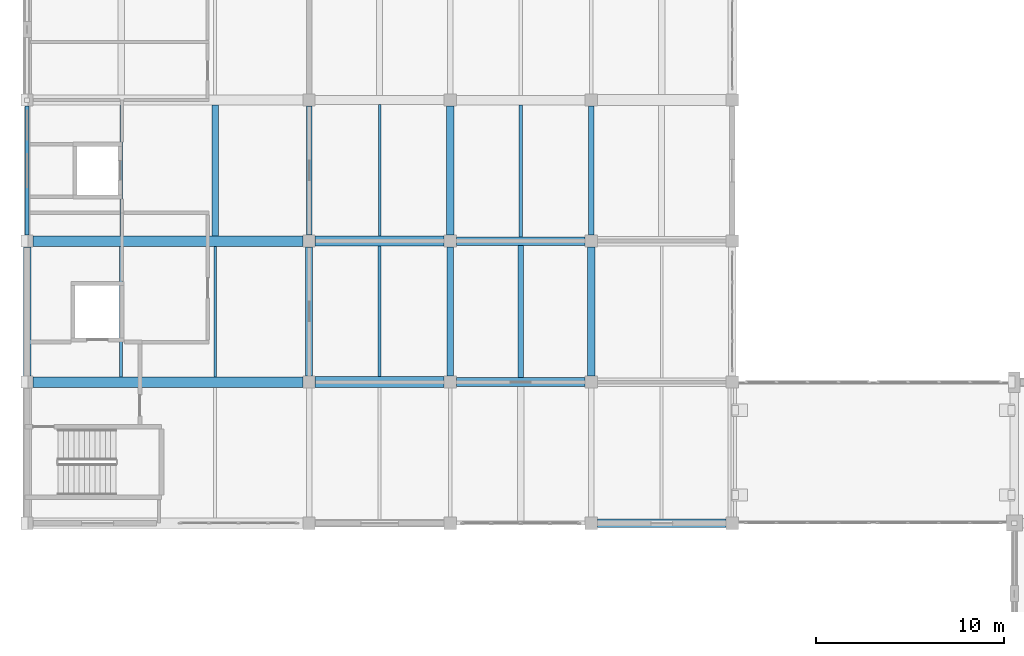
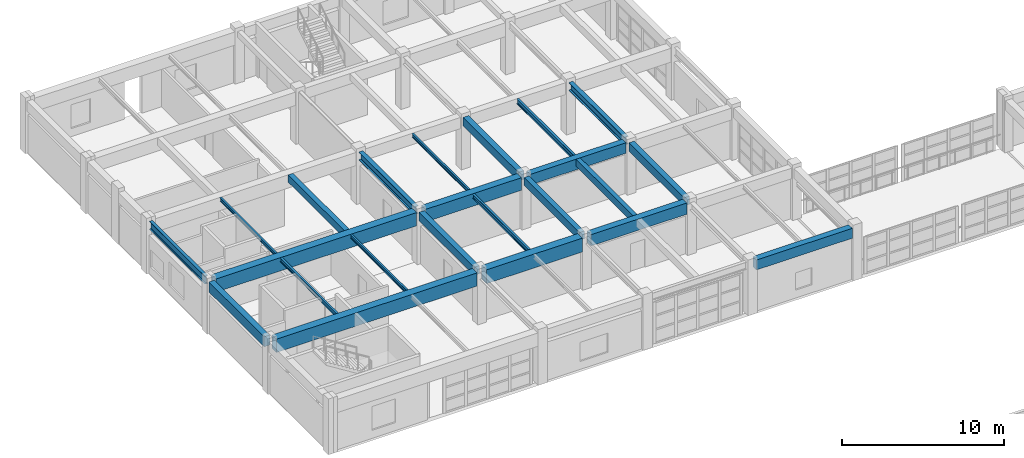
# One storey, part 46 of 132: 23 beams.
"""IFC4 building model written with IfcOpenShell, lengths in metres."""

from ifc_helpers import new_model, si_unit, direction, frame, origin, origin_2d, place, context, subcontext, project, spatial, rectangle, i_section, extrude, material, material_profile, profile_set, type_object, element, save


model = new_model("IFC4")

# Units and contexts
model_context = context("Model", 3, precision=1e-05, world=origin(), true_north=direction((0.0, 1.0)))
body_context = subcontext(model_context, "Body", "Model", "MODEL_VIEW")
ifc_project = project(units=[si_unit("LENGTHUNIT", "METRE"), si_unit("AREAUNIT", "SQUARE_METRE"), si_unit("VOLUMEUNIT", "CUBIC_METRE"), si_unit("PLANEANGLEUNIT", "RADIAN"), si_unit("MASSUNIT", "GRAM", prefix="KILO")], contexts=[model_context])

# Site, building, storey
site_placement = place(None, origin())
site = spatial("IfcSite", under=ifc_project, at=site_placement, CompositionType="ELEMENT")
building_placement = place(site_placement, origin())
building = spatial("IfcBuilding", under=site, at=building_placement, Name="Qasida Concert Hall", CompositionType="ELEMENT")
storey_placement = place(building_placement, frame((0.0, 0.0, 4.800048828125)))
storey = spatial("IfcBuildingStorey", under=building, at=storey_placement, Name="L01", CompositionType="ELEMENT", Elevation=4.800048828125)

# Beams
ifc_material_1 = material(Name="Concrete C40/50", Category="concrete")
ifc_material_profile_1 = material_profile(ifc_material_1, rectangle(XDim=0.39990234375, YDim=0.64990234375, at=origin_2d()), Name="RC 400x650")
ifc_profile_set_1 = profile_set([ifc_material_profile_1], Name="Concrete C40/50")
beam_type_1 = type_object("IfcBeamType", Name="BM-B1", PredefinedType="BEAM", material=ifc_profile_set_1)
beam_1_placement = place(storey_placement, frame((22.5, 90.324951171875, 3.594970703125), z_axis=(0.0, 1.0, 0.0), x_axis=(-1.0, 0.0, 0.0)))
element("IfcBeam", 1, at=beam_1_placement, inside=storey, type_object=beam_type_1, Name="L01 girder 1101", PredefinedType="BEAM", context=body_context, shape_type="SweptSolid", body=[
    extrude(rectangle(XDim=0.39990234375, YDim=0.64990234375, at=origin_2d()), origin(), (0.0, 0.0, 1.0), 6.85009765625),
])
ifc_material_profile_2 = material_profile(ifc_material_1, rectangle(XDim=0.3798828125, YDim=0.6201171875, at=origin_2d()), Name="RC 380x620")
ifc_profile_set_2 = profile_set([ifc_material_profile_2], Name="Concrete C40/50")
beam_type_2 = type_object("IfcBeamType", Name="BM-B10", PredefinedType="BEAM", material=ifc_profile_set_2)
for number, where, z_axis, x_axis, name in (
    (2, (15.0, 82.824951171875, 3.60986328125), (0.0, 1.0, 0.0), (-1.0, 0.0, 0.0), "L01 girder 1095"),
    (3, (30.0, 82.824951171875, 3.60986328125), (0.0, 1.0, 0.0), (-1.0, 0.0, 0.0), "L01 girder 1105"),
):
    element("IfcBeam", number, at=place(storey_placement, frame(where, z_axis=z_axis, x_axis=x_axis)), inside=storey, type_object=beam_type_2, Name=name, PredefinedType="BEAM", context=body_context, shape_type="SweptSolid", body=[
        extrude(rectangle(XDim=0.3798828125, YDim=0.6201171875, at=origin_2d()), origin(), (0.0, 0.0, 1.0), 6.85009765625),
    ])
ifc_material_profile_3 = material_profile(ifc_material_1, rectangle(XDim=0.35009765625, YDim=0.60009765625, at=origin_2d()), Name="RC 350x600")
ifc_profile_set_3 = profile_set([ifc_material_profile_3], Name="Concrete C40/50")
beam_type_3 = type_object("IfcBeamType", Name="BM-B2", PredefinedType="BEAM", material=ifc_profile_set_3)
beam_2_placement = place(storey_placement, frame((22.5, 82.824951171875, 3.619873046875), z_axis=(0.0, 1.0, 0.0), x_axis=(-1.0, 0.0, 0.0)))
element("IfcBeam", 4, at=beam_2_placement, inside=storey, type_object=beam_type_3, Name="L01 girder 1100", PredefinedType="BEAM", context=body_context, shape_type="SweptSolid", body=[
    extrude(rectangle(XDim=0.35009765625, YDim=0.60009765625, at=origin_2d()), origin(), (0.0, 0.0, 1.0), 6.85009765625),
])
ifc_material_2 = material(Name="Steel S355J2", Category="steel")
ifc_material_profile_4 = material_profile(ifc_material_2, i_section(OverallWidth=0.300048828125, OverallDepth=0.60009765625, WebThickness=0.015380859375, FlangeThickness=0.030029296875, FilletRadius=0.027099609375, at=origin_2d()), Name="HEB 600")
ifc_profile_set_4 = profile_set([ifc_material_profile_4], Name="Steel S355J2")
beam_type_4 = type_object("IfcBeamType", Name="BM-B6", PredefinedType="BEAM", material=ifc_profile_set_4)
for number, where, z_axis, x_axis, name in (
    (5, (15.0, 90.324951171875, 3.619873046875), (0.0, 1.0, 0.0), (-1.0, 0.0, 0.0), "L01 girder 1096"),
    (6, (30.0, 90.324951171875, 3.619873046875), (0.0, 1.0, 0.0), (-1.0, 0.0, 0.0), "L01 girder 1106"),
):
    element("IfcBeam", number, at=place(storey_placement, frame(where, z_axis=z_axis, x_axis=x_axis)), inside=storey, type_object=beam_type_4, Name=name, PredefinedType="BEAM", context=body_context, shape_type="SweptSolid", body=[
        extrude(i_section(OverallWidth=0.300048828125, OverallDepth=0.60009765625, WebThickness=0.015380859375, FlangeThickness=0.030029296875, FilletRadius=0.027099609375, at=origin_2d()), origin(), (0.0, 0.0, 1.0), 6.85009765625),
    ])
ifc_material_profile_5 = material_profile(ifc_material_1, rectangle(XDim=0.449951171875, YDim=0.800048828125, at=origin_2d()), Name="RC 450x800")
ifc_profile_set_5 = profile_set([ifc_material_profile_5], Name="Concrete C40/50")
beam_type_5 = type_object("IfcBeamType", Name="BM-G2", PredefinedType="USERDEFINED", material=ifc_profile_set_5)
beam_3_placement = place(storey_placement, frame((22.824951171875, 90.0, 3.52001953125), z_axis=(1.0, 0.0, 0.0), x_axis=(0.0, 1.0, 0.0)))
element("IfcBeam", 7, at=beam_3_placement, inside=storey, type_object=beam_type_5, Name="Primary girder 1075", ObjectType="GIRDER", PredefinedType="USERDEFINED", context=body_context, shape_type="SweptSolid", body=[
    extrude(rectangle(XDim=0.449951171875, YDim=0.800048828125, at=origin_2d()), origin(), (0.0, 0.0, 1.0), 6.85009765625),
])
ifc_material_profile_6 = material_profile(ifc_material_1, rectangle(XDim=0.550048828125, YDim=1.0, at=origin_2d()), Name="RC 550x1000")
ifc_profile_set_6 = profile_set([ifc_material_profile_6], Name="Concrete C40/50")
beam_type_6 = type_object("IfcBeamType", Name="BM-G3", PredefinedType="USERDEFINED", material=ifc_profile_set_6)
for number, where, z_axis, x_axis, name in (
    (8, (0.324951171875, 82.5, 3.419921875), (1.0, 0.0, 0.0), (0.0, 1.0, 0.0), "Primary girder 1069"),
    (9, (0.324951171875, 90.0, 3.419921875), (1.0, 0.0, 0.0), (0.0, 1.0, 0.0), "Primary girder 1073"),
):
    element("IfcBeam", number, at=place(storey_placement, frame(where, z_axis=z_axis, x_axis=x_axis)), inside=storey, type_object=beam_type_6, Name=name, ObjectType="GIRDER", PredefinedType="USERDEFINED", context=body_context, shape_type="SweptSolid", body=[
        extrude(rectangle(XDim=0.550048828125, YDim=1.0, at=origin_2d()), origin(), (0.0, 0.0, 1.0), 14.35009765625),
    ])
ifc_material_profile_7 = material_profile(ifc_material_1, rectangle(XDim=0.47998046875, YDim=0.85009765625, at=origin_2d()), Name="RC 480x850")
ifc_profile_set_7 = profile_set([ifc_material_profile_7], Name="Concrete C40/50")
beam_type_7 = type_object("IfcBeamType", Name="BM-G6", PredefinedType="USERDEFINED", material=ifc_profile_set_7)
beam_4_placement = place(storey_placement, frame((22.824951171875, 82.5, 3.494873046875), z_axis=(1.0, 0.0, 0.0), x_axis=(0.0, 1.0, 0.0)))
element("IfcBeam", 10, at=beam_4_placement, inside=storey, type_object=beam_type_7, Name="Primary girder 1071", ObjectType="GIRDER", PredefinedType="USERDEFINED", context=body_context, shape_type="SweptSolid", body=[
    extrude(rectangle(XDim=0.47998046875, YDim=0.85009765625, at=origin_2d()), origin(), (0.0, 0.0, 1.0), 6.85009765625),
])
ifc_material_profile_8 = material_profile(ifc_material_1, rectangle(XDim=0.52001953125, YDim=0.949951171875, at=origin_2d()), Name="RC 520x950")
ifc_profile_set_8 = profile_set([ifc_material_profile_8], Name="Concrete C40/50")
beam_type_8 = type_object("IfcBeamType", Name="BM-G7", PredefinedType="USERDEFINED", material=ifc_profile_set_8)
beam_5_placement = place(storey_placement, frame((15.324951171875, 90.0, 3.445068359375), z_axis=(1.0, 0.0, 0.0), x_axis=(0.0, 1.0, 0.0)))
element("IfcBeam", 11, at=beam_5_placement, inside=storey, type_object=beam_type_8, Name="Primary girder 1074", ObjectType="GIRDER", PredefinedType="USERDEFINED", context=body_context, shape_type="SweptSolid", body=[
    extrude(rectangle(XDim=0.52001953125, YDim=0.949951171875, at=origin_2d()), origin(), (0.0, 0.0, 1.0), 6.85009765625),
])
ifc_material_3 = material(Name="Concrete C50/60", Category="concrete")
ifc_material_profile_9 = material_profile(ifc_material_3, rectangle(XDim=0.580078125, YDim=1.050048828125, at=origin_2d()), Name="RC 580x1050")
ifc_profile_set_9 = profile_set([ifc_material_profile_9], Name="Concrete C50/60")
beam_type_9 = type_object("IfcBeamType", Name="BM-G8", PredefinedType="USERDEFINED", material=ifc_profile_set_9)
beam_6_placement = place(storey_placement, frame((15.324951171875, 82.5, 3.39501953125), z_axis=(1.0, 0.0, 0.0), x_axis=(0.0, 1.0, 0.0)))
element("IfcBeam", 12, at=beam_6_placement, inside=storey, type_object=beam_type_9, Name="Primary girder 1070", ObjectType="GIRDER", PredefinedType="USERDEFINED", context=body_context, shape_type="SweptSolid", body=[
    extrude(rectangle(XDim=0.580078125, YDim=1.050048828125, at=origin_2d()), origin(), (0.0, 0.0, 1.0), 6.85009765625),
])
ifc_material_profile_10 = material_profile(ifc_material_1, rectangle(XDim=0.300048828125, YDim=0.550048828125, at=origin_2d()), Name="RC 300x550")
ifc_profile_set_10 = profile_set([ifc_material_profile_10], Name="Concrete C40/50")
beam_type_10 = type_object("IfcBeamType", Name="BM-J1", PredefinedType="JOIST", material=ifc_profile_set_10)
beam_7_placement = place(storey_placement, frame((26.25, 82.739990234375, 3.64501953125), z_axis=(0.0, 1.0, 0.0), x_axis=(-1.0, 0.0, 0.0)))
element("IfcBeam", 13, at=beam_7_placement, inside=storey, type_object=beam_type_10, Name="L01 secondary joist 1128", PredefinedType="JOIST", context=body_context, shape_type="SweptSolid", body=[
    extrude(rectangle(XDim=0.300048828125, YDim=0.550048828125, at=origin_2d()), origin(), (0.0, 0.0, 1.0), 7.034912109375),
])
ifc_material_profile_11 = material_profile(ifc_material_2, i_section(OverallWidth=0.169921875, OverallDepth=0.360107421875, WebThickness=0.008056640625, FlangeThickness=0.0126953125, FilletRadius=0.01806640625, at=origin_2d()), Name="IPE 360")
ifc_profile_set_11 = profile_set([ifc_material_profile_11], Name="Steel S355J2")
beam_type_11 = type_object("IfcBeamType", Name="BM-J2", PredefinedType="JOIST", material=ifc_profile_set_11)
beam_8_placement = place(storey_placement, frame((26.25, 90.22509765625, 3.739990234375), z_axis=(0.0, 1.0, 0.0), x_axis=(-1.0, 0.0, 0.0)))
element("IfcBeam", 14, at=beam_8_placement, inside=storey, type_object=beam_type_11, Name="L01 secondary joist 1129", PredefinedType="JOIST", context=body_context, shape_type="SweptSolid", body=[
    extrude(i_section(OverallWidth=0.169921875, OverallDepth=0.360107421875, WebThickness=0.008056640625, FlangeThickness=0.0126953125, FilletRadius=0.01806640625, at=origin_2d()), origin(), (0.0, 0.0, 1.0), 7.02490234375),
])
ifc_material_profile_12 = material_profile(ifc_material_2, i_section(OverallWidth=0.14990234375, OverallDepth=0.300048828125, WebThickness=0.007080078125, FlangeThickness=0.0107421875, FilletRadius=0.014892578125, at=origin_2d()), Name="IPE 300")
ifc_profile_set_12 = profile_set([ifc_material_profile_12], Name="Steel S355J2")
beam_type_12 = type_object("IfcBeamType", Name="BM-J4", PredefinedType="JOIST", material=ifc_profile_set_12)
beam_9_placement = place(storey_placement, frame((5.0, 82.77490234375, 3.77001953125), z_axis=(0.0, 1.0, 0.0), x_axis=(-1.0, 0.0, 0.0)))
element("IfcBeam", 15, at=beam_9_placement, inside=storey, type_object=beam_type_12, Name="L01 secondary joist 1115", PredefinedType="JOIST", context=body_context, shape_type="SweptSolid", body=[
    extrude(i_section(OverallWidth=0.14990234375, OverallDepth=0.300048828125, WebThickness=0.007080078125, FlangeThickness=0.0107421875, FilletRadius=0.014892578125, at=origin_2d()), origin(), (0.0, 0.0, 1.0), 6.9501953125),
])
ifc_material_profile_13 = material_profile(ifc_material_2, i_section(OverallWidth=0.159912109375, OverallDepth=0.330078125, WebThickness=0.007568359375, FlangeThickness=0.011474609375, FilletRadius=0.01806640625, at=origin_2d()), Name="IPE 330")
ifc_profile_set_13 = profile_set([ifc_material_profile_13], Name="Steel S355J2")
beam_type_13 = type_object("IfcBeamType", Name="BM-J5", PredefinedType="JOIST", material=ifc_profile_set_13)
beam_10_placement = place(storey_placement, frame((18.75, 82.7900390625, 3.7548828125), z_axis=(0.0, 1.0, 0.0), x_axis=(-1.0, 0.0, 0.0)))
element("IfcBeam", 16, at=beam_10_placement, inside=storey, type_object=beam_type_13, Name="L01 secondary joist 1124", PredefinedType="JOIST", context=body_context, shape_type="SweptSolid", body=[
    extrude(i_section(OverallWidth=0.159912109375, OverallDepth=0.330078125, WebThickness=0.007568359375, FlangeThickness=0.011474609375, FilletRadius=0.01806640625, at=origin_2d()), origin(), (0.0, 0.0, 1.0), 6.949951171875),
])
ifc_material_profile_14 = material_profile(ifc_material_2, i_section(OverallWidth=0.135009765625, OverallDepth=0.27001953125, WebThickness=0.006591796875, FlangeThickness=0.01025390625, FilletRadius=0.014892578125, at=origin_2d()), Name="IPE 270")
ifc_profile_set_14 = profile_set([ifc_material_profile_14], Name="Steel S355J2")
beam_type_14 = type_object("IfcBeamType", Name="BM-J6", PredefinedType="JOIST", material=ifc_profile_set_14)
for number, where, z_axis, x_axis, name in (
    (17, (10.0, 82.77490234375, 3.784912109375), (0.0, 1.0, 0.0), (-1.0, 0.0, 0.0), "L01 secondary joist 1116"),
    (18, (5.0, 90.27490234375, 3.784912109375), (0.0, 1.0, 0.0), (-1.0, 0.0, 0.0), "L01 secondary joist 1117"),
):
    element("IfcBeam", number, at=place(storey_placement, frame(where, z_axis=z_axis, x_axis=x_axis)), inside=storey, type_object=beam_type_14, Name=name, PredefinedType="JOIST", context=body_context, shape_type="SweptSolid", body=[
        extrude(i_section(OverallWidth=0.135009765625, OverallDepth=0.27001953125, WebThickness=0.006591796875, FlangeThickness=0.01025390625, FilletRadius=0.014892578125, at=origin_2d()), origin(), (0.0, 0.0, 1.0), 6.9501953125),
    ])
beam_11_placement = place(storey_placement, frame((18.75, 90.260009765625, 3.784912109375), z_axis=(0.0, 1.0, 0.0), x_axis=(-1.0, 0.0, 0.0)))
element("IfcBeam", 19, at=beam_11_placement, inside=storey, type_object=beam_type_14, Name="L01 secondary joist 1125", PredefinedType="JOIST", context=body_context, shape_type="SweptSolid", body=[
    extrude(i_section(OverallWidth=0.135009765625, OverallDepth=0.27001953125, WebThickness=0.006591796875, FlangeThickness=0.01025390625, FilletRadius=0.014892578125, at=origin_2d()), origin(), (0.0, 0.0, 1.0), 7.0),
])
ifc_material_profile_15 = material_profile(ifc_material_1, rectangle(XDim=0.35009765625, YDim=0.550048828125, at=origin_2d()), Name="RC 350x550")
ifc_profile_set_15 = profile_set([ifc_material_profile_15], Name="Concrete C40/50")
beam_type_15 = type_object("IfcBeamType", Name="BM-J8", PredefinedType="JOIST", material=ifc_profile_set_15)
beam_12_placement = place(storey_placement, frame((10.0, 90.27490234375, 3.64501953125), z_axis=(0.0, 1.0, 0.0), x_axis=(-1.0, 0.0, 0.0)))
element("IfcBeam", 20, at=beam_12_placement, inside=storey, type_object=beam_type_15, Name="L01 secondary joist 1118", PredefinedType="JOIST", context=body_context, shape_type="SweptSolid", body=[
    extrude(rectangle(XDim=0.35009765625, YDim=0.550048828125, at=origin_2d()), origin(), (0.0, 0.0, 1.0), 6.9501953125),
])
ifc_material_profile_16 = material_profile(ifc_material_1, rectangle(XDim=0.39990234375, YDim=0.75, at=origin_2d()), Name="RC 400x750")
ifc_profile_set_16 = profile_set([ifc_material_profile_16], Name="Concrete C40/50")
beam_type_16 = type_object("IfcBeamType", Name="BM-SP1", PredefinedType="SPANDREL", material=ifc_profile_set_16)
beam_13_placement = place(storey_placement, frame((0.0, 82.824951171875, 3.544921875), z_axis=(0.0, 1.0, 0.0), x_axis=(-1.0, 0.0, 0.0)))
element("IfcBeam", 21, at=beam_13_placement, inside=storey, type_object=beam_type_16, Name="L01 girder 1090", PredefinedType="SPANDREL", context=body_context, shape_type="SweptSolid", body=[
    extrude(rectangle(XDim=0.39990234375, YDim=0.75, at=origin_2d()), origin(), (0.0, 0.0, 1.0), 6.85009765625),
])
ifc_material_profile_17 = material_profile(ifc_material_2, i_section(OverallWidth=0.219970703125, OverallDepth=0.60009765625, WebThickness=0.011962890625, FlangeThickness=0.01904296875, FilletRadius=0.02392578125, at=origin_2d()), Name="IPE 600")
ifc_profile_set_17 = profile_set([ifc_material_profile_17], Name="Steel S355J2")
beam_type_17 = type_object("IfcBeamType", Name="BM-SP3", PredefinedType="SPANDREL", material=ifc_profile_set_17)
beam_14_placement = place(storey_placement, frame((0.0, 90.324951171875, 3.619873046875), z_axis=(0.0, 1.0, 0.0), x_axis=(-1.0, 0.0, 0.0)))
element("IfcBeam", 22, at=beam_14_placement, inside=storey, type_object=beam_type_17, Name="L01 girder 1091", PredefinedType="SPANDREL", context=body_context, shape_type="SweptSolid", body=[
    extrude(i_section(OverallWidth=0.219970703125, OverallDepth=0.60009765625, WebThickness=0.011962890625, FlangeThickness=0.01904296875, FilletRadius=0.02392578125, at=origin_2d()), origin(), (0.0, 0.0, 1.0), 6.85009765625),
])
ifc_material_profile_18 = material_profile(ifc_material_1, rectangle(XDim=0.449951171875, YDim=0.75, at=origin_2d()), Name="RC 450x750")
ifc_profile_set_18 = profile_set([ifc_material_profile_18], Name="Concrete C40/50")
beam_type_18 = type_object("IfcBeamType", Name="BM-SP4", PredefinedType="SPANDREL", material=ifc_profile_set_18)
beam_15_placement = place(storey_placement, frame((30.324951171875, 75.0, 3.544921875), z_axis=(1.0, 0.0, 0.0), x_axis=(0.0, 1.0, 0.0)))
element("IfcBeam", 23, at=beam_15_placement, inside=storey, type_object=beam_type_18, Name="Primary girder 1068", PredefinedType="SPANDREL", context=body_context, shape_type="SweptSolid", body=[
    extrude(rectangle(XDim=0.449951171875, YDim=0.75, at=origin_2d()), origin(), (0.0, 0.0, 1.0), 6.85009765625),
])

save(model, "model.ifc")
